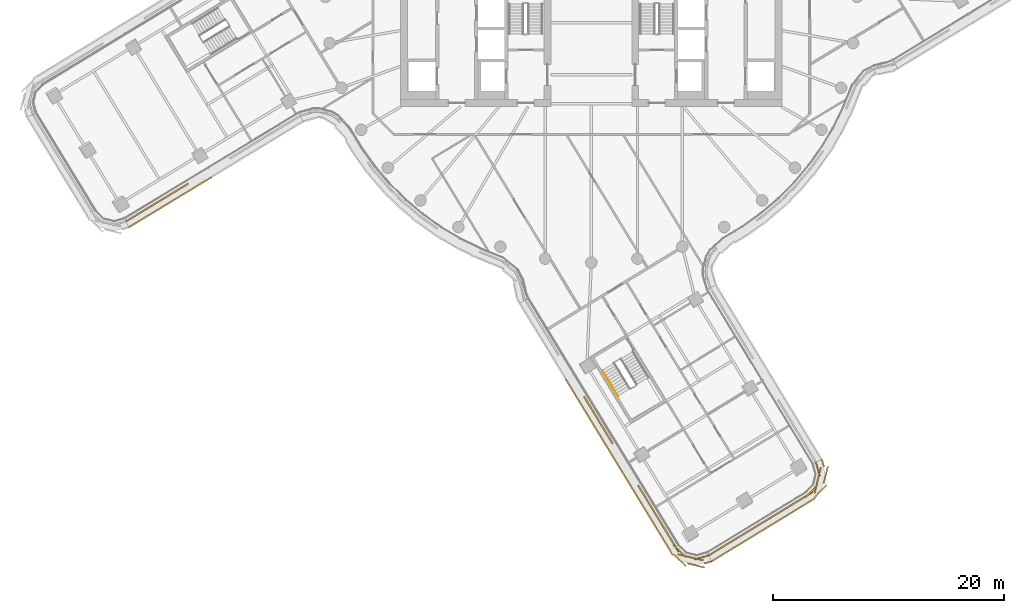
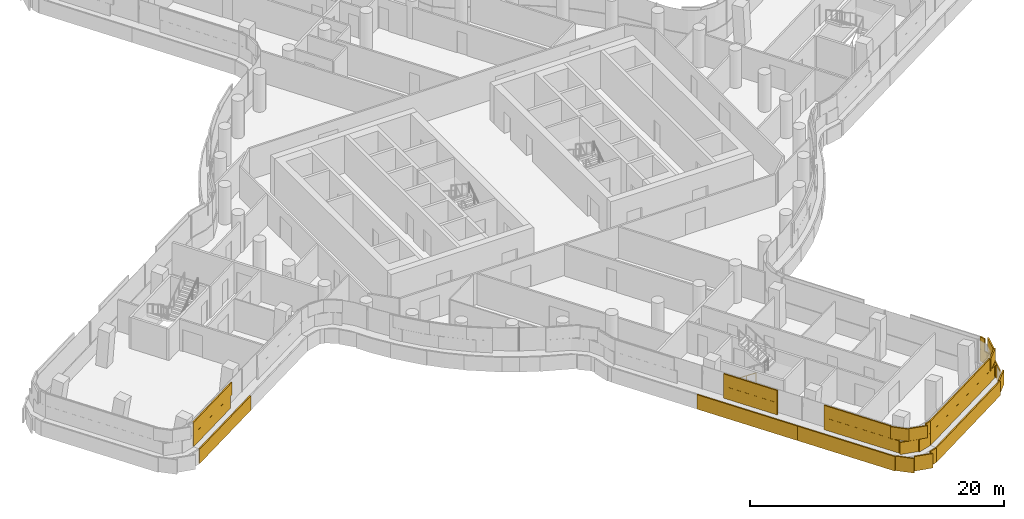
# One storey, part 27 of 35: 4 coverings, 1 railing.
"""IFC4 building model written with IfcOpenShell, lengths in metres."""

from ifc_helpers import new_model, si_unit, direction, frame, origin, origin_2d, place, context, subcontext, project, spatial, rectangle, circle, extrude, material, layer, layer_set, type_object, element, save


model = new_model("IFC4")

# Units and contexts
model_context = context("Model", 3, precision=1e-05, world=origin(), true_north=direction((0.0, 1.0)))
body_context = subcontext(model_context, "Body", "Model", "MODEL_VIEW")
ifc_project = project(units=[si_unit("LENGTHUNIT", "METRE"), si_unit("AREAUNIT", "SQUARE_METRE"), si_unit("VOLUMEUNIT", "CUBIC_METRE"), si_unit("PLANEANGLEUNIT", "RADIAN"), si_unit("MASSUNIT", "GRAM", prefix="KILO")], contexts=[model_context])

# Site, building, storey
site_placement = place(None, origin())
site = spatial("IfcSite", under=ifc_project, at=site_placement, CompositionType="ELEMENT")
building_placement = place(site_placement, origin())
building = spatial("IfcBuilding", under=site, at=building_placement, Name="Tamarind Cross Interchange Tower", CompositionType="ELEMENT")
storey_placement = place(building_placement, frame((0.0, 0.0, 148.0)))
storey = spatial("IfcBuildingStorey", under=building, at=storey_placement, Name="L36", CompositionType="ELEMENT", Elevation=148.0)

# Railing
ifc_material_1 = material(Name="Stair handrail")
railing_type = type_object("IfcRailingType", Name="Stair handrail", PredefinedType="HANDRAIL", material=ifc_material_1)
railing_placement = place(storey_placement, frame((0.95166015625, -32.3095703125, 0.17041015625)))
element("IfcRailing", 1, at=railing_placement, inside=storey, type_object=railing_type, Name="L36 ST6 stair handrail 1", PredefinedType="HANDRAIL", context=body_context, shape_type="SweptSolid", body=[
    extrude(circle(Radius=0.02392578125, at=origin_2d()), frame((0.0, 0.0, 0.8759765625), z_axis=(0.435050131513, -0.714220387385, 0.548288811954), x_axis=(0.854035318984, 0.520215026627, 0.0)), (0.0, 0.0, 1.0), 3.10888671875),
    extrude(circle(Radius=0.02099609375, at=origin_2d()), origin(), (0.0, 0.0, 1.0), 0.851806640625),
    extrude(circle(Radius=0.02099609375, at=origin_2d()), frame((0.450927734375, -0.740234375, 0.568115234375)), (0.0, 0.0, 1.0), 0.851806640625),
    extrude(circle(Radius=0.02099609375, at=origin_2d()), frame((0.901611328125, -1.480224609375, 1.136474609375)), (0.0, 0.0, 1.0), 0.851806640625),
    extrude(circle(Radius=0.02099609375, at=origin_2d()), frame((1.3525390625, -2.220458984375, 1.70458984375)), (0.0, 0.0, 1.0), 0.851806640625),
])

# Coverings
ifc_material_2 = material(Name="Terracotta", Category="masonry")
ifc_layer = layer(ifc_material_2, 0.1201171875)
ifc_layer_set = layer_set([ifc_layer], Name="Terracotta")
covering_type = type_object("IfcCoveringType", Name="Terracotta baguette screen unit", PredefinedType="MOLDING", material=ifc_layer_set)
covering_1_placement = place(storey_placement, origin())
element("IfcCovering", 2, at=covering_1_placement, inside=storey, type_object=covering_type, Name="SCR-L36-01-00", PredefinedType="MOLDING", context=body_context, shape_type="SweptSolid", body=[
    extrude(rectangle(XDim=1.510009765625, YDim=0.1201171875, at=origin_2d()), frame((-39.616943359375, -19.033203125, 1.404052734375), z_axis=(0.0, 0.0, 1.0), x_axis=(0.855123301434, 0.518424670848, 0.0)), (0.0, 0.0, 1.0), 1.1669921875),
    extrude(rectangle(XDim=1.52001953125, YDim=0.1201171875, at=origin_2d()), frame((-38.334228515625, -18.255615234375, 1.404052734375), z_axis=(0.0, 0.0, 1.0), x_axis=(0.855123301434, 0.518424670848, 0.0)), (0.0, 0.0, 1.0), 1.1669921875),
    extrude(rectangle(XDim=1.52001953125, YDim=0.1201171875, at=origin_2d()), frame((-37.051513671875, -17.477783203125, 1.404052734375), z_axis=(0.0, 0.0, 1.0), x_axis=(0.855123301434, 0.518424670848, 0.0)), (0.0, 0.0, 1.0), 1.1669921875),
    extrude(rectangle(XDim=1.52001953125, YDim=0.1201171875, at=origin_2d()), frame((-35.76904296875, -16.7001953125, 1.404052734375), z_axis=(0.0, 0.0, 1.0), x_axis=(0.855123301434, 0.518424670848, 0.0)), (0.0, 0.0, 1.0), 1.1669921875),
    extrude(rectangle(XDim=0.760009765625, YDim=0.1201171875, at=origin_2d()), frame((-39.937744140625, -19.2275390625, 2.5791015625), z_axis=(0.0, 0.0, 1.0), x_axis=(0.855123301434, 0.518424670848, 0.0)), (0.0, 0.0, 1.0), 1.1669921875),
    extrude(rectangle(XDim=1.52001953125, YDim=0.1201171875, at=origin_2d()), frame((-38.9755859375, -18.644287109375, 2.5791015625), z_axis=(0.0, 0.0, 1.0), x_axis=(0.855123301434, 0.518424670848, 0.0)), (0.0, 0.0, 1.0), 1.1669921875),
    extrude(rectangle(XDim=1.52001953125, YDim=0.1201171875, at=origin_2d()), frame((-37.69287109375, -17.86669921875, 2.5791015625), z_axis=(0.0, 0.0, 1.0), x_axis=(0.855123301434, 0.518424670848, 0.0)), (0.0, 0.0, 1.0), 1.1669921875),
    extrude(rectangle(XDim=1.52001953125, YDim=0.1201171875, at=origin_2d()), frame((-36.410400390625, -17.089111328125, 2.5791015625), z_axis=(0.0, 0.0, 1.0), x_axis=(0.855123301434, 0.518424670848, 0.0)), (0.0, 0.0, 1.0), 1.1669921875),
    extrude(rectangle(XDim=1.04443359375, YDim=0.1201171875, at=origin_2d()), frame((-35.32666015625, -16.43212890625, 2.5791015625), z_axis=(0.0, 0.0, 1.0), x_axis=(0.855123301434, 0.518424670848, 0.0)), (0.0, 0.0, 1.0), 1.1669921875),
    extrude(rectangle(XDim=1.510009765625, YDim=0.1201171875, at=origin_2d()), frame((-39.379150390625, -19.560302734375, 0.00390625), z_axis=(0.0, 0.0, 1.0), x_axis=(0.855123301434, 0.518424670848, 0.0)), (0.0, 0.0, 1.0), 1.39208984375),
    extrude(rectangle(XDim=1.52001953125, YDim=0.1201171875, at=origin_2d()), frame((-38.100830078125, -18.78515625, 0.00390625), z_axis=(0.0, 0.0, 1.0), x_axis=(0.855123301434, 0.518424670848, 0.0)), (0.0, 0.0, 1.0), 1.39208984375),
    extrude(rectangle(XDim=1.52001953125, YDim=0.1201171875, at=origin_2d()), frame((-36.818115234375, -18.007568359375, 0.00390625), z_axis=(0.0, 0.0, 1.0), x_axis=(0.855123301434, 0.518424670848, 0.0)), (0.0, 0.0, 1.0), 1.39208984375),
    extrude(rectangle(XDim=1.52001953125, YDim=0.1201171875, at=origin_2d()), frame((-35.535400390625, -17.22998046875, 0.00390625), z_axis=(0.0, 0.0, 1.0), x_axis=(0.855123301434, 0.518424670848, 0.0)), (0.0, 0.0, 1.0), 1.39208984375),
    extrude(rectangle(XDim=1.52001953125, YDim=0.1201171875, at=origin_2d()), frame((-34.252685546875, -16.452392578125, 0.00390625), z_axis=(0.0, 0.0, 1.0), x_axis=(0.855123301434, 0.518424670848, 0.0)), (0.0, 0.0, 1.0), 1.39208984375),
    extrude(rectangle(XDim=0.893310546875, YDim=0.1201171875, at=origin_2d()), frame((-33.238037109375, -15.837158203125, 0.00390625), z_axis=(0.0, 0.0, 1.0), x_axis=(0.855123301434, 0.518424670848, 0.0)), (0.0, 0.0, 1.0), 1.39208984375),
])
covering_2_placement = place(storey_placement, origin())
element("IfcCovering", 3, at=covering_2_placement, inside=storey, type_object=covering_type, Name="SCR-L36-03-01", PredefinedType="MOLDING", context=body_context, shape_type="SweptSolid", body=[
    extrude(rectangle(XDim=0.762939453125, YDim=0.1201171875, at=origin_2d()), frame((-0.449951171875, -34.891357421875, 1.404052734375), z_axis=(0.0, 0.0, 1.0), x_axis=(0.520175135901, -0.854059616181, 0.0)), (0.0, 0.0, 1.0), 1.1669921875),
    extrude(rectangle(XDim=1.52001953125, YDim=0.1201171875, at=origin_2d()), frame((0.135986328125, -35.853271484375, 1.404052734375), z_axis=(0.0, 0.0, 1.0), x_axis=(0.520175135901, -0.854059616181, 0.0)), (0.0, 0.0, 1.0), 1.1669921875),
    extrude(rectangle(XDim=1.52001953125, YDim=0.1201171875, at=origin_2d()), frame((0.916259765625, -37.134521484375, 1.404052734375), z_axis=(0.0, 0.0, 1.0), x_axis=(0.520175135901, -0.854059616181, 0.0)), (0.0, 0.0, 1.0), 1.1669921875),
    extrude(rectangle(XDim=1.063720703125, YDim=0.1201171875, at=origin_2d()), frame((1.58056640625, -38.224853515625, 1.404052734375), z_axis=(0.0, 0.0, 1.0), x_axis=(0.520175135901, -0.854059616181, 0.0)), (0.0, 0.0, 1.0), 1.1669921875),
    extrude(rectangle(XDim=1.52001953125, YDim=0.1201171875, at=origin_2d()), frame((-0.254150390625, -35.212890625, 2.5791015625), z_axis=(0.0, 0.0, 1.0), x_axis=(0.520175135901, -0.854059616181, 0.0)), (0.0, 0.0, 1.0), 1.1669921875),
    extrude(rectangle(XDim=1.52001953125, YDim=0.1201171875, at=origin_2d()), frame((0.526123046875, -36.493896484375, 2.5791015625), z_axis=(0.0, 0.0, 1.0), x_axis=(0.520175135901, -0.854059616181, 0.0)), (0.0, 0.0, 1.0), 1.1669921875),
    extrude(rectangle(XDim=1.52001953125, YDim=0.1201171875, at=origin_2d()), frame((1.306396484375, -37.77490234375, 2.5791015625), z_axis=(0.0, 0.0, 1.0), x_axis=(0.520175135901, -0.854059616181, 0.0)), (0.0, 0.0, 1.0), 1.1669921875),
    extrude(rectangle(XDim=0.313720703125, YDim=0.1201171875, at=origin_2d()), frame((1.775634765625, -38.545166015625, 2.5791015625), z_axis=(0.0, 0.0, 1.0), x_axis=(0.520175135901, -0.854059616181, 0.0)), (0.0, 0.0, 1.0), 1.1669921875),
    extrude(rectangle(XDim=1.328369140625, YDim=0.1201171875, at=origin_2d()), frame((-1.884521484375, -33.639404296875, 0.00390625), z_axis=(0.0, 0.0, 1.0), x_axis=(0.520175135901, -0.854059616181, 0.0)), (0.0, 0.0, 1.0), 1.39208984375),
    extrude(rectangle(XDim=1.52001953125, YDim=0.1201171875, at=origin_2d()), frame((-1.154052734375, -34.838623046875, 0.00390625), z_axis=(0.0, 0.0, 1.0), x_axis=(0.520175135901, -0.854059616181, 0.0)), (0.0, 0.0, 1.0), 1.39208984375),
    extrude(rectangle(XDim=1.52001953125, YDim=0.1201171875, at=origin_2d()), frame((-0.373779296875, -36.119873046875, 0.00390625), z_axis=(0.0, 0.0, 1.0), x_axis=(0.520175135901, -0.854059616181, 0.0)), (0.0, 0.0, 1.0), 1.39208984375),
    extrude(rectangle(XDim=1.52001953125, YDim=0.1201171875, at=origin_2d()), frame((0.406494140625, -37.40087890625, 0.00390625), z_axis=(0.0, 0.0, 1.0), x_axis=(0.520175135901, -0.854059616181, 0.0)), (0.0, 0.0, 1.0), 1.39208984375),
    extrude(rectangle(XDim=1.52001953125, YDim=0.1201171875, at=origin_2d()), frame((1.186767578125, -38.681884765625, 0.00390625), z_axis=(0.0, 0.0, 1.0), x_axis=(0.520175135901, -0.854059616181, 0.0)), (0.0, 0.0, 1.0), 1.39208984375),
    extrude(rectangle(XDim=1.52001953125, YDim=0.1201171875, at=origin_2d()), frame((1.967041015625, -39.963134765625, 0.00390625), z_axis=(0.0, 0.0, 1.0), x_axis=(0.520175135901, -0.854059616181, 0.0)), (0.0, 0.0, 1.0), 1.39208984375),
    extrude(rectangle(XDim=0.23876953125, YDim=0.1201171875, at=origin_2d()), frame((2.4140625, -40.697021484375, 0.00390625), z_axis=(0.0, 0.0, 1.0), x_axis=(0.520175135901, -0.854059616181, 0.0)), (0.0, 0.0, 1.0), 1.39208984375),
])
covering_3_placement = place(storey_placement, origin())
element("IfcCovering", 4, at=covering_3_placement, inside=storey, type_object=covering_type, Name="SCR-L36-03-02", PredefinedType="MOLDING", context=body_context, shape_type="SweptSolid", body=[
    extrude(rectangle(XDim=0.75634765625, YDim=0.1201171875, at=origin_2d()), frame((4.2333984375, -42.58056640625, 1.404052734375), z_axis=(0.0, 0.0, 1.0), x_axis=(0.520175135901, -0.854059616181, 0.0)), (0.0, 0.0, 1.0), 1.1669921875),
    extrude(rectangle(XDim=1.52001953125, YDim=0.1201171875, at=origin_2d()), frame((4.817626953125, -43.539794921875, 1.404052734375), z_axis=(0.0, 0.0, 1.0), x_axis=(0.520175135901, -0.854059616181, 0.0)), (0.0, 0.0, 1.0), 1.1669921875),
    extrude(rectangle(XDim=1.52001953125, YDim=0.1201171875, at=origin_2d()), frame((5.597900390625, -44.821044921875, 1.404052734375), z_axis=(0.0, 0.0, 1.0), x_axis=(0.520175135901, -0.854059616181, 0.0)), (0.0, 0.0, 1.0), 1.1669921875),
    extrude(rectangle(XDim=1.52001953125, YDim=0.1201171875, at=origin_2d()), frame((6.378173828125, -46.10205078125, 1.404052734375), z_axis=(0.0, 0.0, 1.0), x_axis=(0.520175135901, -0.854059616181, 0.0)), (0.0, 0.0, 1.0), 1.1669921875),
    extrude(rectangle(XDim=1.52001953125, YDim=0.1201171875, at=origin_2d()), frame((7.158447265625, -47.383056640625, 1.404052734375), z_axis=(0.0, 0.0, 1.0), x_axis=(0.520175135901, -0.854059616181, 0.0)), (0.0, 0.0, 1.0), 1.1669921875),
    extrude(rectangle(XDim=1.52001953125, YDim=0.1201171875, at=origin_2d()), frame((8.21728515625, -48.40576171875, 1.404052734375), z_axis=(0.0, 0.0, 1.0), x_axis=(0.971730712139, -0.236091980139, 0.0)), (0.0, 0.0, 1.0), 1.1669921875),
    extrude(rectangle(XDim=1.280029296875, YDim=0.1201171875, at=origin_2d()), frame((9.557861328125, -48.5068359375, 1.404052734375), z_axis=(0.0, 0.0, 1.0), x_axis=(0.959589472419, 0.281403703639, 0.0)), (0.0, 0.0, 1.0), 1.1669921875),
    extrude(rectangle(XDim=1.50634765625, YDim=0.1201171875, at=origin_2d()), frame((4.428466796875, -42.90087890625, 2.5791015625), z_axis=(0.0, 0.0, 1.0), x_axis=(0.520175135901, -0.854059616181, 0.0)), (0.0, 0.0, 1.0), 1.1669921875),
    extrude(rectangle(XDim=1.52001953125, YDim=0.1201171875, at=origin_2d()), frame((5.207763671875, -44.180419921875, 2.5791015625), z_axis=(0.0, 0.0, 1.0), x_axis=(0.520175135901, -0.854059616181, 0.0)), (0.0, 0.0, 1.0), 1.1669921875),
    extrude(rectangle(XDim=1.52001953125, YDim=0.1201171875, at=origin_2d()), frame((5.988037109375, -45.46142578125, 2.5791015625), z_axis=(0.0, 0.0, 1.0), x_axis=(0.520175135901, -0.854059616181, 0.0)), (0.0, 0.0, 1.0), 1.1669921875),
    extrude(rectangle(XDim=1.52001953125, YDim=0.1201171875, at=origin_2d()), frame((6.768310546875, -46.74267578125, 2.5791015625), z_axis=(0.0, 0.0, 1.0), x_axis=(0.520175135901, -0.854059616181, 0.0)), (0.0, 0.0, 1.0), 1.1669921875),
    extrude(rectangle(XDim=1.52001953125, YDim=0.1201171875, at=origin_2d()), frame((7.64111328125, -47.948974609375, 2.5791015625), z_axis=(0.0, 0.0, 1.0), x_axis=(0.72349749228, -0.6903270085, 0.0)), (0.0, 0.0, 1.0), 1.1669921875),
    extrude(rectangle(XDim=1.52001953125, YDim=0.1201171875, at=origin_2d()), frame((8.946044921875, -48.582763671875, 2.5791015625), z_axis=(0.0, 0.0, 1.0), x_axis=(0.971730712139, -0.236091980139, 0.0)), (0.0, 0.0, 1.0), 1.1669921875),
    extrude(rectangle(XDim=0.530029296875, YDim=0.1201171875, at=origin_2d()), frame((9.917724609375, -48.4013671875, 2.5791015625), z_axis=(0.0, 0.0, 1.0), x_axis=(0.959589472419, 0.281403703639, 0.0)), (0.0, 0.0, 1.0), 1.1669921875),
    extrude(rectangle(XDim=1.28125, YDim=0.1201171875, at=origin_2d()), frame((2.809326171875, -41.34619140625, 0.00390625), z_axis=(0.0, 0.0, 1.0), x_axis=(0.520175135901, -0.854059616181, 0.0)), (0.0, 0.0, 1.0), 1.39208984375),
    extrude(rectangle(XDim=1.52001953125, YDim=0.1201171875, at=origin_2d()), frame((3.527587890625, -42.525146484375, 0.00390625), z_axis=(0.0, 0.0, 1.0), x_axis=(0.520175135901, -0.854059616181, 0.0)), (0.0, 0.0, 1.0), 1.39208984375),
    extrude(rectangle(XDim=1.52001953125, YDim=0.1201171875, at=origin_2d()), frame((4.307861328125, -43.806396484375, 0.00390625), z_axis=(0.0, 0.0, 1.0), x_axis=(0.520175135901, -0.854059616181, 0.0)), (0.0, 0.0, 1.0), 1.39208984375),
    extrude(rectangle(XDim=1.52001953125, YDim=0.1201171875, at=origin_2d()), frame((5.088134765625, -45.08740234375, 0.00390625), z_axis=(0.0, 0.0, 1.0), x_axis=(0.520175135901, -0.854059616181, 0.0)), (0.0, 0.0, 1.0), 1.39208984375),
    extrude(rectangle(XDim=1.52001953125, YDim=0.1201171875, at=origin_2d()), frame((5.868408203125, -46.36865234375, 0.00390625), z_axis=(0.0, 0.0, 1.0), x_axis=(0.520175135901, -0.854059616181, 0.0)), (0.0, 0.0, 1.0), 1.39208984375),
    extrude(rectangle(XDim=1.52001953125, YDim=0.1201171875, at=origin_2d()), frame((6.648681640625, -47.649658203125, 0.00390625), z_axis=(0.0, 0.0, 1.0), x_axis=(0.520175135901, -0.854059616181, 0.0)), (0.0, 0.0, 1.0), 1.39208984375),
    extrude(rectangle(XDim=1.52001953125, YDim=0.1201171875, at=origin_2d()), frame((7.651123046875, -48.751708984375, 0.00390625), z_axis=(0.0, 0.0, 1.0), x_axis=(0.72349749228, -0.6903270085, 0.0)), (0.0, 0.0, 1.0), 1.39208984375),
    extrude(rectangle(XDim=1.52001953125, YDim=0.1201171875, at=origin_2d()), frame((9.05712890625, -49.200439453125, 0.00390625), z_axis=(0.0, 0.0, 1.0), x_axis=(0.971730712139, -0.236091980139, 0.0)), (0.0, 0.0, 1.0), 1.39208984375),
    extrude(rectangle(XDim=0.65966796875, YDim=0.1201171875, at=origin_2d()), frame((10.084716796875, -48.950439453125, 0.00390625), z_axis=(0.0, 0.0, 1.0), x_axis=(0.959589472419, 0.281403703639, 0.0)), (0.0, 0.0, 1.0), 1.39208984375),
])
covering_4_placement = place(storey_placement, origin())
element("IfcCovering", 5, at=covering_4_placement, inside=storey, type_object=covering_type, Name="SCR-L36-04-00", PredefinedType="MOLDING", context=body_context, shape_type="SweptSolid", body=[
    extrude(rectangle(XDim=1.510009765625, YDim=0.1201171875, at=origin_2d()), frame((10.807861328125, -47.93798828125, 1.404052734375), z_axis=(0.0, 0.0, 1.0), x_axis=(0.854059616181, 0.520175135901, 0.0)), (0.0, 0.0, 1.0), 1.1669921875),
    extrude(rectangle(XDim=1.52001953125, YDim=0.1201171875, at=origin_2d()), frame((12.0888671875, -47.15771484375, 1.404052734375), z_axis=(0.0, 0.0, 1.0), x_axis=(0.854059616181, 0.520175135901, 0.0)), (0.0, 0.0, 1.0), 1.1669921875),
    extrude(rectangle(XDim=1.52001953125, YDim=0.1201171875, at=origin_2d()), frame((13.369873046875, -46.37744140625, 1.404052734375), z_axis=(0.0, 0.0, 1.0), x_axis=(0.854059616181, 0.520175135901, 0.0)), (0.0, 0.0, 1.0), 1.1669921875),
    extrude(rectangle(XDim=1.52001953125, YDim=0.1201171875, at=origin_2d()), frame((14.651123046875, -45.59716796875, 1.404052734375), z_axis=(0.0, 0.0, 1.0), x_axis=(0.854059616181, 0.520175135901, 0.0)), (0.0, 0.0, 1.0), 1.1669921875),
    extrude(rectangle(XDim=1.52001953125, YDim=0.1201171875, at=origin_2d()), frame((15.93212890625, -44.817138671875, 1.404052734375), z_axis=(0.0, 0.0, 1.0), x_axis=(0.854059616181, 0.520175135901, 0.0)), (0.0, 0.0, 1.0), 1.1669921875),
    extrude(rectangle(XDim=1.52001953125, YDim=0.1201171875, at=origin_2d()), frame((17.213134765625, -44.036865234375, 1.404052734375), z_axis=(0.0, 0.0, 1.0), x_axis=(0.854059616181, 0.520175135901, 0.0)), (0.0, 0.0, 1.0), 1.1669921875),
    extrude(rectangle(XDim=1.52001953125, YDim=0.1201171875, at=origin_2d()), frame((18.494384765625, -43.256591796875, 1.404052734375), z_axis=(0.0, 0.0, 1.0), x_axis=(0.854059616181, 0.520175135901, 0.0)), (0.0, 0.0, 1.0), 1.1669921875),
    extrude(rectangle(XDim=1.52001953125, YDim=0.1201171875, at=origin_2d()), frame((19.504150390625, -42.1884765625, 1.404052734375), z_axis=(0.0, 0.0, 1.0), x_axis=(0.236091980139, 0.971730712139, 0.0)), (0.0, 0.0, 1.0), 1.1669921875),
    extrude(rectangle(XDim=1.259521484375, YDim=0.1201171875, at=origin_2d()), frame((19.597900390625, -40.85791015625, 1.404052734375), z_axis=(0.0, 0.0, 1.0), x_axis=(-0.281403703639, 0.959589472419, 0.0)), (0.0, 0.0, 1.0), 1.1669921875),
    extrude(rectangle(XDim=0.760009765625, YDim=0.1201171875, at=origin_2d()), frame((10.487548828125, -48.133056640625, 2.5791015625), z_axis=(0.0, 0.0, 1.0), x_axis=(0.854059616181, 0.520175135901, 0.0)), (0.0, 0.0, 1.0), 1.1669921875),
    extrude(rectangle(XDim=1.52001953125, YDim=0.1201171875, at=origin_2d()), frame((11.4482421875, -47.5478515625, 2.5791015625), z_axis=(0.0, 0.0, 1.0), x_axis=(0.854059616181, 0.520175135901, 0.0)), (0.0, 0.0, 1.0), 1.1669921875),
    extrude(rectangle(XDim=1.52001953125, YDim=0.1201171875, at=origin_2d()), frame((12.7294921875, -46.767578125, 2.5791015625), z_axis=(0.0, 0.0, 1.0), x_axis=(0.854059616181, 0.520175135901, 0.0)), (0.0, 0.0, 1.0), 1.1669921875),
    extrude(rectangle(XDim=1.52001953125, YDim=0.1201171875, at=origin_2d()), frame((14.010498046875, -45.9873046875, 2.5791015625), z_axis=(0.0, 0.0, 1.0), x_axis=(0.854059616181, 0.520175135901, 0.0)), (0.0, 0.0, 1.0), 1.1669921875),
    extrude(rectangle(XDim=1.52001953125, YDim=0.1201171875, at=origin_2d()), frame((15.29150390625, -45.20703125, 2.5791015625), z_axis=(0.0, 0.0, 1.0), x_axis=(0.854059616181, 0.520175135901, 0.0)), (0.0, 0.0, 1.0), 1.1669921875),
    extrude(rectangle(XDim=1.52001953125, YDim=0.1201171875, at=origin_2d()), frame((16.57275390625, -44.427001953125, 2.5791015625), z_axis=(0.0, 0.0, 1.0), x_axis=(0.854059616181, 0.520175135901, 0.0)), (0.0, 0.0, 1.0), 1.1669921875),
    extrude(rectangle(XDim=1.52001953125, YDim=0.1201171875, at=origin_2d()), frame((17.853759765625, -43.646728515625, 2.5791015625), z_axis=(0.0, 0.0, 1.0), x_axis=(0.854059616181, 0.520175135901, 0.0)), (0.0, 0.0, 1.0), 1.1669921875),
    extrude(rectangle(XDim=1.52001953125, YDim=0.1201171875, at=origin_2d()), frame((19.056884765625, -42.76953125, 2.5791015625), z_axis=(0.0, 0.0, 1.0), x_axis=(0.6903270085, 0.72349749228, 0.0)), (0.0, 0.0, 1.0), 1.1669921875),
    extrude(rectangle(XDim=1.52001953125, YDim=0.1201171875, at=origin_2d()), frame((19.68115234375, -41.459716796875, 2.5791015625), z_axis=(0.0, 0.0, 1.0), x_axis=(0.236091980139, 0.971730712139, 0.0)), (0.0, 0.0, 1.0), 1.1669921875),
    extrude(rectangle(XDim=0.509521484375, YDim=0.1201171875, at=origin_2d()), frame((19.4921875, -40.498046875, 2.5791015625), z_axis=(0.0, 0.0, 1.0), x_axis=(-0.281403703639, 0.959589472419, 0.0)), (0.0, 0.0, 1.0), 1.1669921875),
    extrude(rectangle(XDim=1.510009765625, YDim=0.1201171875, at=origin_2d()), frame((11.046142578125, -48.465087890625, 0.00390625), z_axis=(0.0, 0.0, 1.0), x_axis=(0.854059616181, 0.520175135901, 0.0)), (0.0, 0.0, 1.0), 1.39208984375),
    extrude(rectangle(XDim=1.52001953125, YDim=0.1201171875, at=origin_2d()), frame((12.322998046875, -47.687255859375, 0.00390625), z_axis=(0.0, 0.0, 1.0), x_axis=(0.854059616181, 0.520175135901, 0.0)), (0.0, 0.0, 1.0), 1.39208984375),
    extrude(rectangle(XDim=1.52001953125, YDim=0.1201171875, at=origin_2d()), frame((13.60400390625, -46.906982421875, 0.00390625), z_axis=(0.0, 0.0, 1.0), x_axis=(0.854059616181, 0.520175135901, 0.0)), (0.0, 0.0, 1.0), 1.39208984375),
    extrude(rectangle(XDim=1.52001953125, YDim=0.1201171875, at=origin_2d()), frame((14.885009765625, -46.126708984375, 0.00390625), z_axis=(0.0, 0.0, 1.0), x_axis=(0.854059616181, 0.520175135901, 0.0)), (0.0, 0.0, 1.0), 1.39208984375),
    extrude(rectangle(XDim=1.52001953125, YDim=0.1201171875, at=origin_2d()), frame((16.166259765625, -45.3466796875, 0.00390625), z_axis=(0.0, 0.0, 1.0), x_axis=(0.854059616181, 0.520175135901, 0.0)), (0.0, 0.0, 1.0), 1.39208984375),
    extrude(rectangle(XDim=1.52001953125, YDim=0.1201171875, at=origin_2d()), frame((17.447265625, -44.56640625, 0.00390625), z_axis=(0.0, 0.0, 1.0), x_axis=(0.854059616181, 0.520175135901, 0.0)), (0.0, 0.0, 1.0), 1.39208984375),
    extrude(rectangle(XDim=1.52001953125, YDim=0.1201171875, at=origin_2d()), frame((18.728271484375, -43.7861328125, 0.00390625), z_axis=(0.0, 0.0, 1.0), x_axis=(0.854059616181, 0.520175135901, 0.0)), (0.0, 0.0, 1.0), 1.39208984375),
    extrude(rectangle(XDim=1.52001953125, YDim=0.1201171875, at=origin_2d()), frame((19.83349609375, -42.787109375, 0.00390625), z_axis=(0.0, 0.0, 1.0), x_axis=(0.6903270085, 0.72349749228, 0.0)), (0.0, 0.0, 1.0), 1.39208984375),
    extrude(rectangle(XDim=1.52001953125, YDim=0.1201171875, at=origin_2d()), frame((20.2900390625, -41.385498046875, 0.00390625), z_axis=(0.0, 0.0, 1.0), x_axis=(0.236091980139, 0.971730712139, 0.0)), (0.0, 0.0, 1.0), 1.39208984375),
    extrude(rectangle(XDim=0.676513671875, YDim=0.1201171875, at=origin_2d()), frame((20.046875, -40.349365234375, 0.00390625), z_axis=(0.0, 0.0, 1.0), x_axis=(-0.281403703639, 0.959589472419, 0.0)), (0.0, 0.0, 1.0), 1.39208984375),
])

save(model, "model.ifc")
